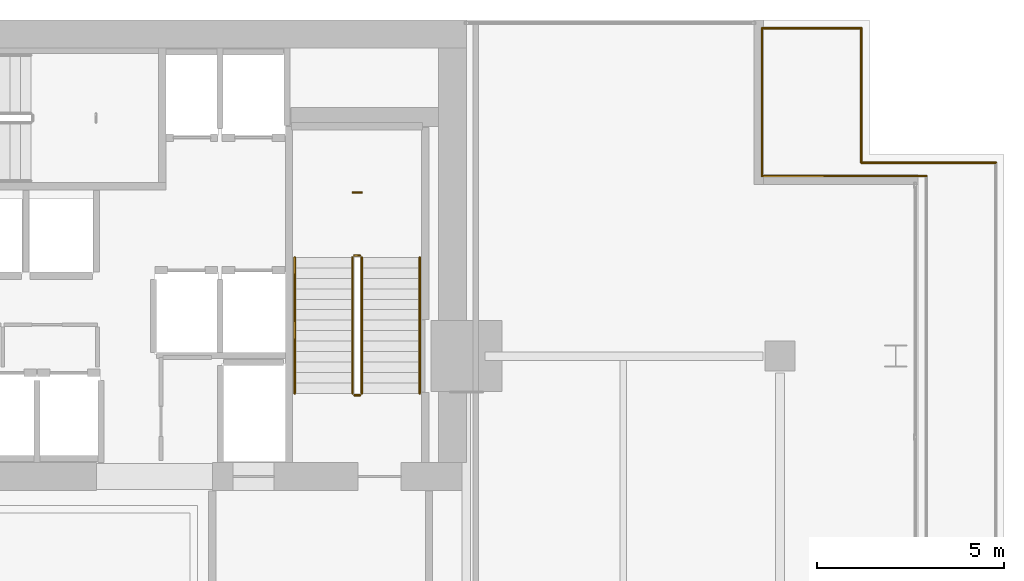
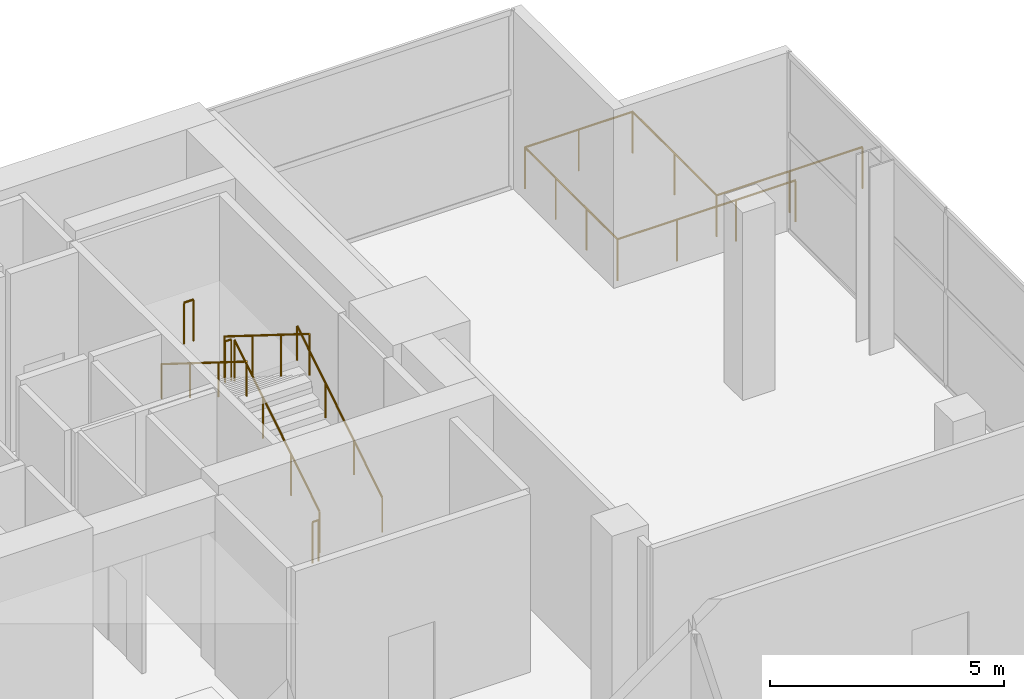
# One storey, part 31 of 31: 12 railings.
"""IFC4 building model written with IfcOpenShell, lengths in metres."""

from ifc_helpers import new_model, si_unit, direction, frame, origin, origin_2d, place, context, subcontext, project, spatial, circle, extrude, material, type_object, element, save


model = new_model("IFC4")

# Units and contexts
model_context = context("Model", 3, precision=1e-05, world=origin(), true_north=direction((0.0, 1.0)))
body_context = subcontext(model_context, "Body", "Model", "MODEL_VIEW")
ifc_project = project(units=[si_unit("LENGTHUNIT", "METRE"), si_unit("AREAUNIT", "SQUARE_METRE"), si_unit("VOLUMEUNIT", "CUBIC_METRE"), si_unit("PLANEANGLEUNIT", "RADIAN"), si_unit("MASSUNIT", "GRAM", prefix="KILO")], contexts=[model_context])

# Site, building, storey
site_placement = place(None, origin())
site = spatial("IfcSite", under=ifc_project, at=site_placement, CompositionType="ELEMENT")
building_placement = place(site_placement, origin())
building = spatial("IfcBuilding", under=site, at=building_placement, Name="Maruvema Waterfront Hotel and Observation Tower", CompositionType="ELEMENT")
storey_placement = place(building_placement, frame((0.0, 0.0, 122.5)))
storey = spatial("IfcBuildingStorey", under=building, at=storey_placement, Name="L29", CompositionType="ELEMENT", Elevation=122.5)

# Railings
ifc_material_1 = material(Name="Brushed stainless steel Grade 316", Category="steel")
railing_type_1 = type_object("IfcRailingType", Name="Ramp Continuous Wall Handrail 920 mm", PredefinedType="HANDRAIL", material=ifc_material_1)
railing_1_placement = place(storey_placement, frame((49.14990234375, 44.0, 0.175048828125)))
element("IfcRailing", 1, at=railing_1_placement, inside=storey, type_object=railing_type_1, Name="L29 ST-03 stair handrail 1", PredefinedType="HANDRAIL", context=body_context, shape_type="SweptSolid", body=[
    extrude(circle(Radius=0.02392578125, at=origin_2d()), frame((0.0, 0.0, 0.89599609375), z_axis=(0.0, 0.848001499411, 0.52999382732), x_axis=(-1.0, 0.0, 0.0)), (0.0, 0.0, 1.0), 4.292236328125),
    extrude(circle(Radius=0.02099609375, at=origin_2d()), origin(), (0.0, 0.0, 1.0), 0.871826171875),
    extrude(circle(Radius=0.02099609375, at=origin_2d()), frame((0.0, 1.21337890625, 0.75830078125)), (0.0, 0.0, 1.0), 0.871826171875),
    extrude(circle(Radius=0.02099609375, at=origin_2d()), frame((0.0, 2.426513671875, 1.5166015625)), (0.0, 0.0, 1.0), 0.871826171875),
    extrude(circle(Radius=0.02099609375, at=origin_2d()), frame((0.0, 3.639892578125, 2.27490234375)), (0.0, 0.0, 1.0), 0.871826171875),
])
railing_2_placement = place(storey_placement, frame((45.800048828125, 47.639892578125, 2.625)))
element("IfcRailing", 2, at=railing_2_placement, inside=storey, type_object=railing_type_1, Name="L29 ST-03 stair handrail 2", PredefinedType="HANDRAIL", context=body_context, shape_type="SweptSolid", body=[
    extrude(circle(Radius=0.02392578125, at=origin_2d()), frame((0.0, 0.0, 0.89599609375), z_axis=(0.0, -0.848001499411, 0.52999382732), x_axis=(1.0, 0.0, 0.0)), (0.0, 0.0, 1.0), 4.292236328125),
    extrude(circle(Radius=0.02099609375, at=origin_2d()), origin(), (0.0, 0.0, 1.0), 0.871826171875),
    extrude(circle(Radius=0.02099609375, at=origin_2d()), frame((0.0, -1.21337890625, 0.75830078125)), (0.0, 0.0, 1.0), 0.871826171875),
    extrude(circle(Radius=0.02099609375, at=origin_2d()), frame((0.0, -2.426513671875, 1.5166015625)), (0.0, 0.0, 1.0), 0.871826171875),
    extrude(circle(Radius=0.02099609375, at=origin_2d()), frame((0.0, -3.639892578125, 2.27490234375)), (0.0, 0.0, 1.0), 0.871826171875),
])
ifc_material_2 = material(Name="Brushed stainless steel Grade 316", Category="steel")
railing_type_2 = type_object("IfcRailingType", Name="Ramp and Terrace Guard Balustrade 1100 mm", PredefinedType="BALUSTRADE", material=ifc_material_2)
railing_3_placement = place(storey_placement, frame((47.60009765625, 44.0, 0.175048828125)))
element("IfcRailing", 3, at=railing_3_placement, inside=storey, type_object=railing_type_2, Name="L29 ST-03 stair guard 1", PredefinedType="BALUSTRADE", context=body_context, shape_type="SweptSolid", body=[
    extrude(circle(Radius=0.02392578125, at=origin_2d()), frame((0.0, 0.0, 1.076171875), z_axis=(0.0, 0.848001499411, 0.52999382732), x_axis=(-1.0, 0.0, 0.0)), (0.0, 0.0, 1.0), 4.292236328125),
    extrude(circle(Radius=0.02099609375, at=origin_2d()), origin(), (0.0, 0.0, 1.0), 1.052001953125),
    extrude(circle(Radius=0.02099609375, at=origin_2d()), frame((0.0, 1.21337890625, 0.75830078125)), (0.0, 0.0, 1.0), 1.052001953125),
    extrude(circle(Radius=0.02099609375, at=origin_2d()), frame((0.0, 2.426513671875, 1.5166015625)), (0.0, 0.0, 1.0), 1.052001953125),
    extrude(circle(Radius=0.02099609375, at=origin_2d()), frame((0.0, 3.639892578125, 2.27490234375)), (0.0, 0.0, 1.0), 1.052001953125),
])
railing_4_placement = place(storey_placement, frame((47.550048828125, 47.68994140625, 2.449951171875)))
element("IfcRailing", 4, at=railing_4_placement, inside=storey, type_object=railing_type_2, Name="L29 ST-03 stair guard 2", PredefinedType="BALUSTRADE", context=body_context, shape_type="SweptSolid", body=[
    extrude(circle(Radius=0.02392578125, at=origin_2d()), frame((0.0, 0.0, 1.076171875), z_axis=(-1.0, 0.0, 0.0), x_axis=(0.0, -1.0, 0.0)), (0.0, 0.0, 1.0), 0.150146484375),
    extrude(circle(Radius=0.02099609375, at=origin_2d()), origin(), (0.0, 0.0, 1.0), 1.052001953125),
    extrude(circle(Radius=0.02099609375, at=origin_2d()), frame((-0.150146484375, 0.0, 0.0)), (0.0, 0.0, 1.0), 1.052001953125),
])
railing_5_placement = place(storey_placement, frame((47.35009765625, 47.639892578125, 2.625)))
element("IfcRailing", 5, at=railing_5_placement, inside=storey, type_object=railing_type_2, Name="L29 ST-03 stair guard 3", PredefinedType="BALUSTRADE", context=body_context, shape_type="SweptSolid", body=[
    extrude(circle(Radius=0.02392578125, at=origin_2d()), frame((0.0, 0.0, 1.076171875), z_axis=(0.0, -0.848001499411, 0.52999382732), x_axis=(1.0, 0.0, 0.0)), (0.0, 0.0, 1.0), 4.292236328125),
    extrude(circle(Radius=0.02099609375, at=origin_2d()), origin(), (0.0, 0.0, 1.0), 1.052001953125),
    extrude(circle(Radius=0.02099609375, at=origin_2d()), frame((0.0, -1.21337890625, 0.75830078125)), (0.0, 0.0, 1.0), 1.052001953125),
    extrude(circle(Radius=0.02099609375, at=origin_2d()), frame((0.0, -2.426513671875, 1.5166015625)), (0.0, 0.0, 1.0), 1.052001953125),
    extrude(circle(Radius=0.02099609375, at=origin_2d()), frame((0.0, -3.639892578125, 2.27490234375)), (0.0, 0.0, 1.0), 1.052001953125),
])
railing_6_placement = place(storey_placement, frame((47.550048828125, 43.949951171875, 0.0)))
element("IfcRailing", 6, at=railing_6_placement, inside=storey, type_object=railing_type_2, Name="L29 ST-03 stair guard 4", PredefinedType="BALUSTRADE", context=body_context, shape_type="SweptSolid", body=[
    extrude(circle(Radius=0.02392578125, at=origin_2d()), frame((0.0, 0.0, 1.076171875), z_axis=(-1.0, 0.0, 0.0), x_axis=(0.0, -1.0, 0.0)), (0.0, 0.0, 1.0), 0.150146484375),
    extrude(circle(Radius=0.02099609375, at=origin_2d()), origin(), (0.0, 0.0, 1.0), 1.052001953125),
    extrude(circle(Radius=0.02099609375, at=origin_2d()), frame((-0.150146484375, 0.0, 0.0)), (0.0, 0.0, 1.0), 1.052001953125),
])
railing_7_placement = place(storey_placement, frame((47.590087890625, 49.3798828125, 2.449951171875)))
element("IfcRailing", 7, at=railing_7_placement, inside=storey, type_object=railing_type_2, Name="L29 ST-03 Half-Landing Slot Guard", PredefinedType="BALUSTRADE", context=body_context, shape_type="SweptSolid", body=[
    extrude(circle(Radius=0.02392578125, at=origin_2d()), frame((0.0, 0.0, 1.076171875), z_axis=(-1.0, 0.0, 0.0), x_axis=(0.0, -1.0, 0.0)), (0.0, 0.0, 1.0), 0.22998046875),
    extrude(circle(Radius=0.02099609375, at=origin_2d()), origin(), (0.0, 0.0, 1.0), 1.052001953125),
    extrude(circle(Radius=0.02099609375, at=origin_2d()), frame((-0.22998046875, 0.0, 0.0)), (0.0, 0.0, 1.0), 1.052001953125),
])
railing_8_placement = place(storey_placement, frame((60.97998046875, 53.780029296875, 0.0)))
element("IfcRailing", 8, at=railing_8_placement, inside=storey, type_object=railing_type_2, Name="L29 Perimeter Safety Balustrade 1", PredefinedType="BALUSTRADE", context=body_context, shape_type="SweptSolid", body=[
    extrude(circle(Radius=0.02392578125, at=origin_2d()), frame((0.0, 0.0, 1.076171875), z_axis=(0.0, -1.0, 0.0), x_axis=(1.0, 0.0, 0.0)), (0.0, 0.0, 1.0), 3.60009765625),
    extrude(circle(Radius=0.02099609375, at=origin_2d()), origin(), (0.0, 0.0, 1.0), 1.052001953125),
    extrude(circle(Radius=0.02099609375, at=origin_2d()), frame((0.0, -1.800048828125, 0.0)), (0.0, 0.0, 1.0), 1.052001953125),
    extrude(circle(Radius=0.02099609375, at=origin_2d()), frame((0.0, -3.60009765625, 0.0)), (0.0, 0.0, 1.0), 1.052001953125),
])
railing_9_placement = place(storey_placement, frame((60.97998046875, 50.179931640625, 0.0)))
element("IfcRailing", 9, at=railing_9_placement, inside=storey, type_object=railing_type_2, Name="L29 Perimeter Safety Balustrade 2", PredefinedType="BALUSTRADE", context=body_context, shape_type="SweptSolid", body=[
    extrude(circle(Radius=0.02392578125, at=origin_2d()), frame((0.0, 0.0, 1.076171875), z_axis=(1.0, 0.0, 0.0), x_axis=(0.0, 1.0, 0.0)), (0.0, 0.0, 1.0), 3.60009765625),
    extrude(circle(Radius=0.02099609375, at=origin_2d()), origin(), (0.0, 0.0, 1.0), 1.052001953125),
    extrude(circle(Radius=0.02099609375, at=origin_2d()), frame((1.800048828125, 0.0, 0.0)), (0.0, 0.0, 1.0), 1.052001953125),
    extrude(circle(Radius=0.02099609375, at=origin_2d()), frame((3.60009765625, 0.0, 0.0)), (0.0, 0.0, 1.0), 1.052001953125),
])
railing_10_placement = place(storey_placement, frame((62.719970703125, 49.820068359375, 0.0)))
element("IfcRailing", 10, at=railing_10_placement, inside=storey, type_object=railing_type_2, Name="L29 Perimeter Safety Balustrade 22", PredefinedType="BALUSTRADE", context=body_context, shape_type="SweptSolid", body=[
    extrude(circle(Radius=0.02392578125, at=origin_2d()), frame((0.0, 0.0, 1.076171875), z_axis=(-1.0, 0.0, 0.0), x_axis=(0.0, -1.0, 0.0)), (0.0, 0.0, 1.0), 4.39990234375),
    extrude(circle(Radius=0.02099609375, at=origin_2d()), origin(), (0.0, 0.0, 1.0), 1.052001953125),
    extrude(circle(Radius=0.02099609375, at=origin_2d()), frame((-1.466552734375, 0.0, 0.0)), (0.0, 0.0, 1.0), 1.052001953125),
    extrude(circle(Radius=0.02099609375, at=origin_2d()), frame((-2.933349609375, 0.0, 0.0)), (0.0, 0.0, 1.0), 1.052001953125),
    extrude(circle(Radius=0.02099609375, at=origin_2d()), frame((-4.39990234375, 0.0, 0.0)), (0.0, 0.0, 1.0), 1.052001953125),
])
railing_11_placement = place(storey_placement, frame((58.320068359375, 49.820068359375, 0.0)))
element("IfcRailing", 11, at=railing_11_placement, inside=storey, type_object=railing_type_2, Name="L29 Perimeter Safety Balustrade 23", PredefinedType="BALUSTRADE", context=body_context, shape_type="SweptSolid", body=[
    extrude(circle(Radius=0.02392578125, at=origin_2d()), frame((0.0, 0.0, 1.076171875), z_axis=(0.0, 1.0, 0.0), x_axis=(-1.0, 0.0, 0.0)), (0.0, 0.0, 1.0), 3.9599609375),
    extrude(circle(Radius=0.02099609375, at=origin_2d()), origin(), (0.0, 0.0, 1.0), 1.052001953125),
    extrude(circle(Radius=0.02099609375, at=origin_2d()), frame((0.0, 1.320068359375, 0.0)), (0.0, 0.0, 1.0), 1.052001953125),
    extrude(circle(Radius=0.02099609375, at=origin_2d()), frame((0.0, 2.639892578125, 0.0)), (0.0, 0.0, 1.0), 1.052001953125),
    extrude(circle(Radius=0.02099609375, at=origin_2d()), frame((0.0, 3.9599609375, 0.0)), (0.0, 0.0, 1.0), 1.052001953125),
])
railing_12_placement = place(storey_placement, frame((58.320068359375, 53.780029296875, 0.0)))
element("IfcRailing", 12, at=railing_12_placement, inside=storey, type_object=railing_type_2, Name="L29 Perimeter Safety Balustrade 24", PredefinedType="BALUSTRADE", context=body_context, shape_type="SweptSolid", body=[
    extrude(circle(Radius=0.02392578125, at=origin_2d()), frame((0.0, 0.0, 1.076171875), z_axis=(1.0, 0.0, 0.0), x_axis=(0.0, 1.0, 0.0)), (0.0, 0.0, 1.0), 2.659912109375),
    extrude(circle(Radius=0.02099609375, at=origin_2d()), origin(), (0.0, 0.0, 1.0), 1.052001953125),
    extrude(circle(Radius=0.02099609375, at=origin_2d()), frame((1.330078125, 0.0, 0.0)), (0.0, 0.0, 1.0), 1.052001953125),
    extrude(circle(Radius=0.02099609375, at=origin_2d()), frame((2.659912109375, 0.0, 0.0)), (0.0, 0.0, 1.0), 1.052001953125),
])

save(model, "model.ifc")
